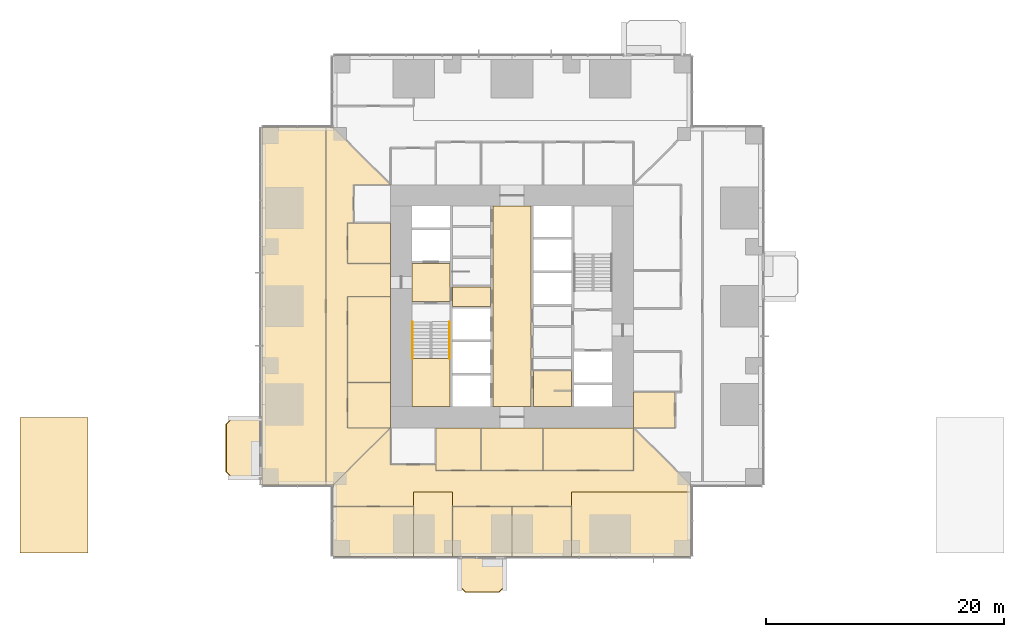
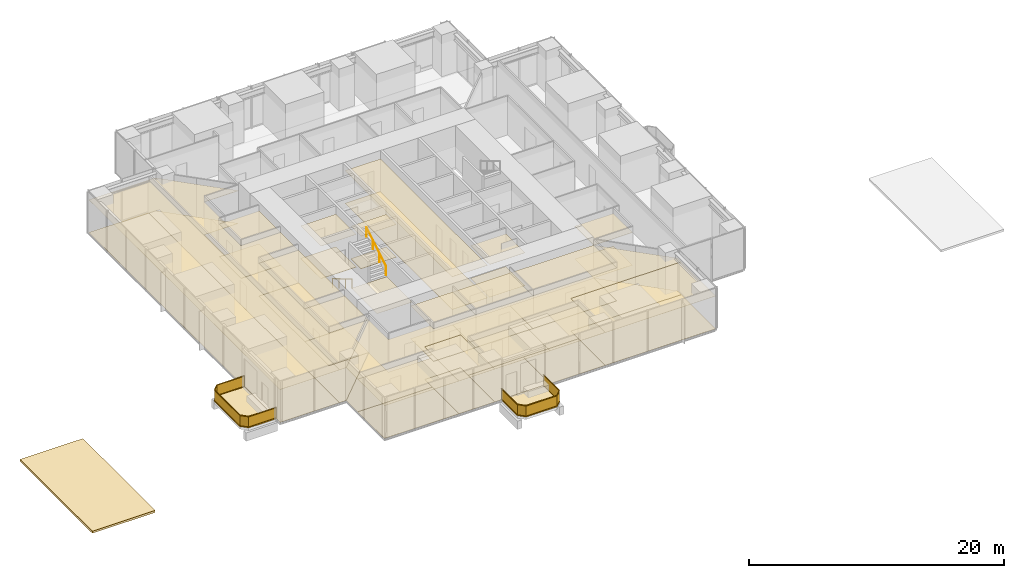
# One storey, part 14 of 16: 42 coverings, 4 railings.
"""IFC4 building model written with IfcOpenShell, lengths in metres."""

from ifc_helpers import new_model, si_unit, direction, frame, origin, origin_2d, place, context, subcontext, project, spatial, polyline, rectangle, circle, outline, extrude, material, layer, layer_set, type_object, element, save


model = new_model("IFC4")

# Units and contexts
model_context = context("Model", 3, precision=1e-05, world=origin(), true_north=direction((0.0, 1.0)))
body_context = subcontext(model_context, "Body", "Model", "MODEL_VIEW")
ifc_project = project(units=[si_unit("LENGTHUNIT", "METRE"), si_unit("AREAUNIT", "SQUARE_METRE"), si_unit("VOLUMEUNIT", "CUBIC_METRE"), si_unit("PLANEANGLEUNIT", "RADIAN"), si_unit("MASSUNIT", "GRAM", prefix="KILO")], contexts=[model_context])

# Site, building, storey
site_placement = place(None, origin())
site = spatial("IfcSite", under=ifc_project, at=site_placement, CompositionType="ELEMENT")
building_placement = place(site_placement, origin())
building = spatial("IfcBuilding", under=site, at=building_placement, Name="Svetlomir Tower", CompositionType="ELEMENT")
storey_placement = place(building_placement, frame((0.0, 0.0, 22.5)))
storey = spatial("IfcBuildingStorey", under=building, at=storey_placement, Name="L04", CompositionType="ELEMENT", Elevation=22.5)

# Railings
ifc_material_1 = material(Name="Bronze anodised aluminium and laminated glass", Category="aluminium")
railing_type_1 = type_object("IfcRailingType", Name="BALCONY GUARD GR1 1100", PredefinedType="GUARDRAIL", material=ifc_material_1)
railing_1_placement = place(storey_placement, frame((16.60009765625, 0.0, 0.0)))
element("IfcRailing", 1, at=railing_1_placement, inside=storey, type_object=railing_type_1, Name="Balcony guard S L04", PredefinedType="GUARDRAIL", context=body_context, shape_type="SweptSolid", body=[
    extrude(rectangle(XDim=0.06005859375, YDim=0.10009765625, at=origin_2d()), frame((0.0, 0.0, 0.050048828125), z_axis=(0.0, -1.0, 0.0), x_axis=(1.0, 0.0, 0.0)), (0.0, 0.0, 1.0), 2.5),
    extrude(rectangle(XDim=0.021484375, YDim=0.960205078125, at=origin_2d()), frame((0.0, 0.0, 0.580078125), z_axis=(0.0, -1.0, 0.0), x_axis=(1.0, 0.0, 0.0)), (0.0, 0.0, 1.0), 2.5),
    extrude(rectangle(XDim=0.06005859375, YDim=0.0400390625, at=origin_2d()), frame((0.0, 0.0, 1.080078125), z_axis=(0.0, -1.0, 0.0), x_axis=(1.0, 0.0, 0.0)), (0.0, 0.0, 1.0), 2.5),
    extrude(rectangle(XDim=0.06005859375, YDim=0.10009765625, at=origin_2d()), frame((0.0, -2.5, 0.050048828125), z_axis=(0.707106781187, -0.707106781187, 0.0), x_axis=(0.707106781187, 0.707106781187, 0.0)), (0.0, 0.0, 1.0), 0.70703125),
    extrude(rectangle(XDim=0.021484375, YDim=0.960205078125, at=origin_2d()), frame((0.0, -2.5, 0.580078125), z_axis=(0.707106781187, -0.707106781187, 0.0), x_axis=(0.707106781187, 0.707106781187, 0.0)), (0.0, 0.0, 1.0), 0.70703125),
    extrude(rectangle(XDim=0.06005859375, YDim=0.0400390625, at=origin_2d()), frame((0.0, -2.5, 1.080078125), z_axis=(0.707106781187, -0.707106781187, 0.0), x_axis=(0.707106781187, 0.707106781187, 0.0)), (0.0, 0.0, 1.0), 0.70703125),
    extrude(rectangle(XDim=0.06005859375, YDim=0.10009765625, at=origin_2d()), frame((0.5, -3.0, 0.050048828125), z_axis=(1.0, 0.0, 0.0), x_axis=(0.0, 1.0, 0.0)), (0.0, 0.0, 1.0), 2.7998046875),
    extrude(rectangle(XDim=0.021484375, YDim=0.960205078125, at=origin_2d()), frame((0.5, -3.0, 0.580078125), z_axis=(1.0, 0.0, 0.0), x_axis=(0.0, 1.0, 0.0)), (0.0, 0.0, 1.0), 2.7998046875),
    extrude(rectangle(XDim=0.06005859375, YDim=0.0400390625, at=origin_2d()), frame((0.5, -3.0, 1.080078125), z_axis=(1.0, 0.0, 0.0), x_axis=(0.0, 1.0, 0.0)), (0.0, 0.0, 1.0), 2.7998046875),
    extrude(rectangle(XDim=0.06005859375, YDim=0.10009765625, at=origin_2d()), frame((3.2998046875, -3.0, 0.050048828125), z_axis=(0.707106781187, 0.707106781187, 0.0), x_axis=(-0.707106781187, 0.707106781187, 0.0)), (0.0, 0.0, 1.0), 0.70703125),
    extrude(rectangle(XDim=0.021484375, YDim=0.960205078125, at=origin_2d()), frame((3.2998046875, -3.0, 0.580078125), z_axis=(0.707106781187, 0.707106781187, 0.0), x_axis=(-0.707106781187, 0.707106781187, 0.0)), (0.0, 0.0, 1.0), 0.70703125),
    extrude(rectangle(XDim=0.06005859375, YDim=0.0400390625, at=origin_2d()), frame((3.2998046875, -3.0, 1.080078125), z_axis=(0.707106781187, 0.707106781187, 0.0), x_axis=(-0.707106781187, 0.707106781187, 0.0)), (0.0, 0.0, 1.0), 0.70703125),
    extrude(rectangle(XDim=0.06005859375, YDim=0.10009765625, at=origin_2d()), frame((3.7998046875, -2.5, 0.050048828125), z_axis=(0.0, 1.0, 0.0), x_axis=(-1.0, 0.0, 0.0)), (0.0, 0.0, 1.0), 2.5),
    extrude(rectangle(XDim=0.021484375, YDim=0.960205078125, at=origin_2d()), frame((3.7998046875, -2.5, 0.580078125), z_axis=(0.0, 1.0, 0.0), x_axis=(-1.0, 0.0, 0.0)), (0.0, 0.0, 1.0), 2.5),
    extrude(rectangle(XDim=0.06005859375, YDim=0.0400390625, at=origin_2d()), frame((3.7998046875, -2.5, 1.080078125), z_axis=(0.0, 1.0, 0.0), x_axis=(-1.0, 0.0, 0.0)), (0.0, 0.0, 1.0), 2.5),
])
railing_2_placement = place(storey_placement, frame((0.0, 11.60009765625, 0.0)))
element("IfcRailing", 2, at=railing_2_placement, inside=storey, type_object=railing_type_1, Name="Balcony guard W L04", PredefinedType="GUARDRAIL", context=body_context, shape_type="SweptSolid", body=[
    extrude(rectangle(XDim=0.06005859375, YDim=0.10009765625, at=origin_2d()), frame((0.0, 0.0, 0.050048828125), z_axis=(-1.0, 0.0, 0.0), x_axis=(0.0, -1.0, 0.0)), (0.0, 0.0, 1.0), 2.5),
    extrude(rectangle(XDim=0.021484375, YDim=0.960205078125, at=origin_2d()), frame((0.0, 0.0, 0.580078125), z_axis=(-1.0, 0.0, 0.0), x_axis=(0.0, -1.0, 0.0)), (0.0, 0.0, 1.0), 2.5),
    extrude(rectangle(XDim=0.06005859375, YDim=0.0400390625, at=origin_2d()), frame((0.0, 0.0, 1.080078125), z_axis=(-1.0, 0.0, 0.0), x_axis=(0.0, -1.0, 0.0)), (0.0, 0.0, 1.0), 2.5),
    extrude(rectangle(XDim=0.06005859375, YDim=0.10009765625, at=origin_2d()), frame((-2.5, 0.0, 0.050048828125), z_axis=(-0.707106781187, -0.707106781187, 0.0), x_axis=(0.707106781187, -0.707106781187, 0.0)), (0.0, 0.0, 1.0), 0.70703125),
    extrude(rectangle(XDim=0.021484375, YDim=0.960205078125, at=origin_2d()), frame((-2.5, 0.0, 0.580078125), z_axis=(-0.707106781187, -0.707106781187, 0.0), x_axis=(0.707106781187, -0.707106781187, 0.0)), (0.0, 0.0, 1.0), 0.70703125),
    extrude(rectangle(XDim=0.06005859375, YDim=0.0400390625, at=origin_2d()), frame((-2.5, 0.0, 1.080078125), z_axis=(-0.707106781187, -0.707106781187, 0.0), x_axis=(0.707106781187, -0.707106781187, 0.0)), (0.0, 0.0, 1.0), 0.70703125),
    extrude(rectangle(XDim=0.06005859375, YDim=0.10009765625, at=origin_2d()), frame((-3.0, -0.5, 0.050048828125), z_axis=(0.0, -1.0, 0.0), x_axis=(1.0, 0.0, 0.0)), (0.0, 0.0, 1.0), 4.0),
    extrude(rectangle(XDim=0.021484375, YDim=0.960205078125, at=origin_2d()), frame((-3.0, -0.5, 0.580078125), z_axis=(0.0, -1.0, 0.0), x_axis=(1.0, 0.0, 0.0)), (0.0, 0.0, 1.0), 4.0),
    extrude(rectangle(XDim=0.06005859375, YDim=0.0400390625, at=origin_2d()), frame((-3.0, -0.5, 1.080078125), z_axis=(0.0, -1.0, 0.0), x_axis=(1.0, 0.0, 0.0)), (0.0, 0.0, 1.0), 4.0),
    extrude(rectangle(XDim=0.06005859375, YDim=0.10009765625, at=origin_2d()), frame((-3.0, -4.5, 0.050048828125), z_axis=(0.707106781187, -0.707106781187, 0.0), x_axis=(0.707106781187, 0.707106781187, 0.0)), (0.0, 0.0, 1.0), 0.70703125),
    extrude(rectangle(XDim=0.021484375, YDim=0.960205078125, at=origin_2d()), frame((-3.0, -4.5, 0.580078125), z_axis=(0.707106781187, -0.707106781187, 0.0), x_axis=(0.707106781187, 0.707106781187, 0.0)), (0.0, 0.0, 1.0), 0.70703125),
    extrude(rectangle(XDim=0.06005859375, YDim=0.0400390625, at=origin_2d()), frame((-3.0, -4.5, 1.080078125), z_axis=(0.707106781187, -0.707106781187, 0.0), x_axis=(0.707106781187, 0.707106781187, 0.0)), (0.0, 0.0, 1.0), 0.70703125),
    extrude(rectangle(XDim=0.06005859375, YDim=0.10009765625, at=origin_2d()), frame((-2.5, -5.0, 0.050048828125), z_axis=(1.0, 0.0, 0.0), x_axis=(0.0, 1.0, 0.0)), (0.0, 0.0, 1.0), 2.5),
    extrude(rectangle(XDim=0.021484375, YDim=0.960205078125, at=origin_2d()), frame((-2.5, -5.0, 0.580078125), z_axis=(1.0, 0.0, 0.0), x_axis=(0.0, 1.0, 0.0)), (0.0, 0.0, 1.0), 2.5),
    extrude(rectangle(XDim=0.06005859375, YDim=0.0400390625, at=origin_2d()), frame((-2.5, -5.0, 1.080078125), z_axis=(1.0, 0.0, 0.0), x_axis=(0.0, 1.0, 0.0)), (0.0, 0.0, 1.0), 2.5),
])

# Coverings
ifc_material_2 = material(Name="Granite paving slabs on pedestals", Category="masonry")
ifc_layer_1 = layer(ifc_material_2, 0.0400390625)
ifc_layer_set_1 = layer_set([ifc_layer_1], Name="Granite paving slabs on pedestals")
covering_type_1 = type_object("IfcCoveringType", Name="BALCONY PAVING 40", PredefinedType="USERDEFINED", material=ifc_layer_set_1)
covering_1_placement = place(storey_placement, origin())
element("IfcCovering", 3, at=covering_1_placement, inside=storey, type_object=covering_type_1, Name="Balcony paving S L04", ObjectType="BALCONY PAVING", PredefinedType="USERDEFINED", context=body_context, shape_type="SweptSolid", body=[
    extrude(outline(polyline([(16.60009765625, -2.5), (17.10009765625, -3.0), (19.89990234375, -3.0), (20.39990234375, -2.5), (20.39990234375, 0.0), (16.60009765625, 0.0), (16.60009765625, -2.5)])), origin(), (0.0, 0.0, 1.0), 0.0400390625),
])
covering_2_placement = place(storey_placement, origin())
element("IfcCovering", 4, at=covering_2_placement, inside=storey, type_object=covering_type_1, Name="Balcony paving W L04", ObjectType="BALCONY PAVING", PredefinedType="USERDEFINED", context=body_context, shape_type="SweptSolid", body=[
    extrude(outline(polyline([(-2.5, 6.60009765625), (0.0, 6.60009765625), (0.0, 11.60009765625), (-2.5, 11.60009765625), (-3.0, 11.10009765625), (-3.0, 7.10009765625), (-2.5, 6.60009765625)])), origin(), (0.0, 0.0, 1.0), 0.0400390625),
])
ifc_material_3 = material(Name="Carpet tile", Category="textile")
ifc_layer_2 = layer(ifc_material_3, 0.010009765625)
ifc_layer_set_2 = layer_set([ifc_layer_2], Name="Carpet tile")
covering_type_2 = type_object("IfcCoveringType", Name="CARPET TILE FLOOR 10", PredefinedType="FLOORING", material=ifc_layer_set_2)
covering_3_placement = place(storey_placement, origin())
element("IfcCovering", 5, at=covering_3_placement, inside=storey, type_object=covering_type_2, Name="Floor finish L04-15", PredefinedType="FLOORING", context=body_context, shape_type="SweptSolid", body=[
    extrude(outline(polyline([(14.60009765625, 7.199951171875), (18.39990234375, 7.199951171875), (18.39990234375, 10.800048828125), (14.60009765625, 10.800048828125), (14.60009765625, 7.199951171875)])), origin(), (0.0, 0.0, 1.0), 0.010009765625),
])
covering_4_placement = place(storey_placement, origin())
element("IfcCovering", 6, at=covering_4_placement, inside=storey, type_object=covering_type_2, Name="Floor finish L04-16", PredefinedType="FLOORING", context=body_context, shape_type="SweptSolid", body=[
    extrude(outline(polyline([(23.60009765625, 7.199951171875), (31.199951171875, 7.199951171875), (31.199951171875, 10.800048828125), (23.60009765625, 10.800048828125), (23.60009765625, 7.199951171875)])), origin(), (0.0, 0.0, 1.0), 0.010009765625),
])
covering_5_placement = place(storey_placement, origin())
element("IfcCovering", 7, at=covering_5_placement, inside=storey, type_object=covering_type_2, Name="Floor finish L04-17", PredefinedType="FLOORING", context=body_context, shape_type="SweptSolid", body=[
    extrude(outline(polyline([(6.0, 0.0), (12.75, 0.0), (12.75, 4.199951171875), (6.0, 4.199951171875), (6.0, 0.0)])), origin(), (0.0, 0.0, 1.0), 0.010009765625),
])
covering_6_placement = place(storey_placement, origin())
element("IfcCovering", 8, at=covering_6_placement, inside=storey, type_object=covering_type_2, Name="Floor finish L04-18", PredefinedType="FLOORING", context=body_context, shape_type="SweptSolid", body=[
    extrude(outline(polyline([(16.0, 0.0), (21.0, 0.0), (21.0, 4.199951171875), (16.0, 4.199951171875), (16.0, 0.0)])), origin(), (0.0, 0.0, 1.0), 0.010009765625),
])
covering_7_placement = place(storey_placement, origin())
element("IfcCovering", 9, at=covering_7_placement, inside=storey, type_object=covering_type_2, Name="Floor finish L04-19", PredefinedType="FLOORING", context=body_context, shape_type="SweptSolid", body=[
    extrude(outline(polyline([(21.0, 0.0), (26.0, 0.0), (26.0, 4.199951171875), (21.0, 4.199951171875), (21.0, 0.0)])), origin(), (0.0, 0.0, 1.0), 0.010009765625),
])
covering_8_placement = place(storey_placement, origin())
element("IfcCovering", 10, at=covering_8_placement, inside=storey, type_object=covering_type_2, Name="Floor finish L04-20", PredefinedType="FLOORING", context=body_context, shape_type="SweptSolid", body=[
    extrude(outline(polyline([(31.199951171875, 10.800048828125), (34.699951171875, 10.800048828125), (34.699951171875, 13.800048828125), (31.199951171875, 13.800048828125), (31.199951171875, 10.800048828125)])), origin(), (0.0, 0.0, 1.0), 0.010009765625),
])
covering_9_placement = place(storey_placement, origin())
element("IfcCovering", 11, at=covering_9_placement, inside=storey, type_object=covering_type_2, Name="Floor finish L04-29", PredefinedType="FLOORING", context=body_context, shape_type="SweptSolid", body=[
    extrude(outline(polyline([(7.199951171875, 10.800048828125), (10.800048828125, 10.800048828125), (10.800048828125, 14.60009765625), (7.199951171875, 14.60009765625), (7.199951171875, 10.800048828125)])), origin(), (0.0, 0.0, 1.0), 0.010009765625),
])
covering_10_placement = place(storey_placement, origin())
element("IfcCovering", 12, at=covering_10_placement, inside=storey, type_object=covering_type_2, Name="Floor finish L04-30", PredefinedType="FLOORING", context=body_context, shape_type="SweptSolid", body=[
    extrude(outline(polyline([(7.199951171875, 24.60009765625), (10.800048828125, 24.60009765625), (10.800048828125, 28.0), (7.199951171875, 28.0), (7.199951171875, 24.60009765625)])), origin(), (0.0, 0.0, 1.0), 0.010009765625),
])
covering_11_placement = place(storey_placement, origin())
element("IfcCovering", 13, at=covering_11_placement, inside=storey, type_object=covering_type_2, Name="Floor finish L04-32", PredefinedType="FLOORING", context=body_context, shape_type="SweptSolid", body=[
    extrude(outline(polyline([(6.0, 4.199951171875), (6.0, 6.0), (10.800048828125, 10.800048828125), (10.800048828125, 7.699951171875), (14.60009765625, 7.699951171875), (14.60009765625, 7.199951171875), (31.199951171875, 7.199951171875), (31.199951171875, 10.800048828125), (36.0, 6.0), (36.0, 5.39990234375), (26.0, 5.39990234375), (26.0, 4.199951171875), (16.0, 4.199951171875), (16.0, 5.39990234375), (12.75, 5.39990234375), (12.75, 4.199951171875), (6.0, 4.199951171875)])), origin(), (0.0, 0.0, 1.0), 0.010009765625),
])
covering_12_placement = place(storey_placement, origin())
element("IfcCovering", 14, at=covering_12_placement, inside=storey, type_object=covering_type_2, Name="Floor finish L04-35", PredefinedType="FLOORING", context=body_context, shape_type="SweptSolid", body=[
    extrude(outline(polyline([(5.39990234375, 6.0), (5.39990234375, 36.0), (6.0, 36.0), (10.800048828125, 31.199951171875), (7.699951171875, 31.199951171875), (7.699951171875, 28.0), (7.199951171875, 28.0), (7.199951171875, 24.60009765625), (10.800048828125, 24.60009765625), (10.800048828125, 21.800048828125), (7.199951171875, 21.800048828125), (7.199951171875, 10.800048828125), (10.800048828125, 10.800048828125), (6.0, 6.0), (5.39990234375, 6.0)])), origin(), (0.0, 0.0, 1.0), 0.010009765625),
])
covering_13_placement = place(storey_placement, origin())
element("IfcCovering", 15, at=covering_13_placement, inside=storey, type_object=covering_type_2, Name="Floor finish L04-36", PredefinedType="FLOORING", context=body_context, shape_type="SweptSolid", body=[
    extrude(outline(polyline([(12.75, 5.39990234375), (16.0, 5.39990234375), (16.0, 0.0), (12.75, 0.0), (12.75, 5.39990234375)])), origin(), (0.0, 0.0, 1.0), 0.010009765625),
])
covering_14_placement = place(storey_placement, origin())
element("IfcCovering", 16, at=covering_14_placement, inside=storey, type_object=covering_type_2, Name="Floor finish L04-37", PredefinedType="FLOORING", context=body_context, shape_type="SweptSolid", body=[
    extrude(outline(polyline([(26.0, 0.0), (26.0, 5.39990234375), (36.0, 5.39990234375), (36.0, 0.0), (26.0, 0.0)])), origin(), (0.0, 0.0, 1.0), 0.010009765625),
])
covering_15_placement = place(storey_placement, origin())
element("IfcCovering", 17, at=covering_15_placement, inside=storey, type_object=covering_type_2, Name="Floor finish L04-38", PredefinedType="FLOORING", context=body_context, shape_type="SweptSolid", body=[
    extrude(outline(polyline([(23.60009765625, 10.800048828125), (23.60009765625, 7.199951171875), (18.39990234375, 7.199951171875), (18.39990234375, 10.800048828125), (23.60009765625, 10.800048828125)])), origin(), (0.0, 0.0, 1.0), 0.010009765625),
])
covering_16_placement = place(storey_placement, origin())
element("IfcCovering", 18, at=covering_16_placement, inside=storey, type_object=covering_type_2, Name="Floor finish L04-42", PredefinedType="FLOORING", context=body_context, shape_type="SweptSolid", body=[
    extrude(outline(polyline([(0.0, 36.0), (5.39990234375, 36.0), (5.39990234375, 6.0), (0.0, 6.0), (0.0, 36.0)])), origin(), (0.0, 0.0, 1.0), 0.010009765625),
])
covering_17_placement = place(storey_placement, origin())
element("IfcCovering", 19, at=covering_17_placement, inside=storey, type_object=covering_type_2, Name="Floor finish L04-43", PredefinedType="FLOORING", context=body_context, shape_type="SweptSolid", body=[
    extrude(outline(polyline([(7.199951171875, 14.60009765625), (7.199951171875, 21.800048828125), (10.800048828125, 21.800048828125), (10.800048828125, 14.60009765625), (7.199951171875, 14.60009765625)])), origin(), (0.0, 0.0, 1.0), 0.010009765625),
])
ifc_material_4 = material(Name="Ceramic floor tile", Category="ceramic")
ifc_layer_3 = layer(ifc_material_4, 0.014892578125)
ifc_layer_set_3 = layer_set([ifc_layer_3], Name="Ceramic floor tile")
covering_type_3 = type_object("IfcCoveringType", Name="CERAMIC TILE FLOOR 15", PredefinedType="FLOORING", material=ifc_layer_set_3)
covering_18_placement = place(storey_placement, origin())
element("IfcCovering", 20, at=covering_18_placement, inside=storey, type_object=covering_type_3, Name="Floor finish L04-09", PredefinedType="FLOORING", context=body_context, shape_type="SweptSolid", body=[
    extrude(outline(polyline([(22.800048828125, 12.60009765625), (26.0, 12.60009765625), (26.0, 15.60009765625), (22.800048828125, 15.60009765625), (22.800048828125, 12.60009765625)])), origin(), (0.0, 0.0, 1.0), 0.014892578125),
])

# Railings
ifc_material_5 = material(Name="Stainless steel", Category="steel")
railing_type_2 = type_object("IfcRailingType", Name="HANDRAIL HR1 900", PredefinedType="HANDRAIL", material=ifc_material_5)
railing_3_placement = place(storey_placement, frame((12.64990234375, 19.699951171875, 0.166748046875)))
element("IfcRailing", 21, at=railing_3_placement, inside=storey, type_object=railing_type_2, Name="Handrail S1 flight 1 L04", PredefinedType="HANDRAIL", context=body_context, shape_type="SweptSolid", body=[
    extrude(circle(Radius=0.02392578125, at=origin_2d()), frame((0.0, 0.0, 0.8759765625), z_axis=(0.0, -0.859290745958, 0.51148745235), x_axis=(1.0, 0.0, 0.0)), (0.0, 0.0, 1.0), 3.584228515625),
    extrude(circle(Radius=0.02099609375, at=origin_2d()), origin(), (0.0, 0.0, 1.0), 0.851806640625),
    extrude(circle(Radius=0.02099609375, at=origin_2d()), frame((0.0, -1.026611328125, 0.611083984375)), (0.0, 0.0, 1.0), 0.851806640625),
    extrude(circle(Radius=0.02099609375, at=origin_2d()), frame((0.0, -2.05322265625, 1.22216796875)), (0.0, 0.0, 1.0), 0.851806640625),
    extrude(circle(Radius=0.02099609375, at=origin_2d()), frame((0.0, -3.079833984375, 1.833251953125)), (0.0, 0.0, 1.0), 0.851806640625),
])
railing_4_placement = place(storey_placement, frame((15.75, 16.6201171875, 2.166748046875)))
element("IfcRailing", 22, at=railing_4_placement, inside=storey, type_object=railing_type_2, Name="Handrail S1 flight 2 L04", PredefinedType="HANDRAIL", context=body_context, shape_type="SweptSolid", body=[
    extrude(circle(Radius=0.02392578125, at=origin_2d()), frame((0.0, 0.0, 0.8759765625), z_axis=(0.0, 0.859290745958, 0.51148745235), x_axis=(-1.0, 0.0, 0.0)), (0.0, 0.0, 1.0), 3.584228515625),
    extrude(circle(Radius=0.02099609375, at=origin_2d()), origin(), (0.0, 0.0, 1.0), 0.851806640625),
    extrude(circle(Radius=0.02099609375, at=origin_2d()), frame((0.0, 1.026611328125, 0.611083984375)), (0.0, 0.0, 1.0), 0.851806640625),
    extrude(circle(Radius=0.02099609375, at=origin_2d()), frame((0.0, 2.05322265625, 1.22216796875)), (0.0, 0.0, 1.0), 0.851806640625),
    extrude(circle(Radius=0.02099609375, at=origin_2d()), frame((0.0, 3.079833984375, 1.833251953125)), (0.0, 0.0, 1.0), 0.851806640625),
])

# Coverings
ifc_material_6 = material(Name="Insulated steel roof deck with membrane", Category="steel")
ifc_layer_4 = layer(ifc_material_6, 0.199951171875)
ifc_layer_set_4 = layer_set([ifc_layer_4], Name="Insulated steel roof deck with membrane")
covering_type_4 = type_object("IfcCoveringType", Name="HEAD-HOUSE ROOF DECK 200", PredefinedType="ROOFING", material=ifc_layer_set_4)
covering_19_placement = place(storey_placement, frame((0.0, 0.0, -0.050048828125)))
element("IfcCovering", 23, at=covering_19_placement, inside=storey, type_object=covering_type_4, Name="Stair P3 head-house roof", PredefinedType="ROOFING", context=body_context, shape_type="SweptSolid", body=[
    extrude(outline(polyline([(-20.300048828125, 0.300048828125), (-14.60009765625, 0.300048828125), (-14.60009765625, 11.64990234375), (-20.300048828125, 11.64990234375), (-20.300048828125, 0.300048828125)])), origin(), (0.0, 0.0, 1.0), 0.199951171875),
])
ifc_material_7 = material(Name="Moisture resistant plasterboard ceiling", Category="gypsum")
ifc_layer_5 = layer(ifc_material_7, 0.012451171875)
ifc_layer_set_5 = layer_set([ifc_layer_5], Name="Moisture resistant plasterboard ceiling")
covering_type_5 = type_object("IfcCoveringType", Name="MOISTURE RESISTANT CEILING 12.5", PredefinedType="CEILING", material=ifc_layer_set_5)
covering_20_placement = place(storey_placement, frame((0.0, 0.0, 3.137451171875)))
element("IfcCovering", 24, at=covering_20_placement, inside=storey, type_object=covering_type_5, Name="Ceiling L04-09", PredefinedType="CEILING", context=body_context, shape_type="SweptSolid", body=[
    extrude(outline(polyline([(22.800048828125, 12.60009765625), (26.0, 12.60009765625), (26.0, 15.60009765625), (22.800048828125, 15.60009765625), (22.800048828125, 12.60009765625)])), origin(), (0.0, 0.0, 1.0), 0.012451171875),
])
ifc_material_8 = material(Name="Gypsum plasterboard ceiling", Category="gypsum")
ifc_layer_6 = layer(ifc_material_8, 0.014892578125)
ifc_layer_set_6 = layer_set([ifc_layer_6], Name="Gypsum plasterboard ceiling")
covering_type_6 = type_object("IfcCoveringType", Name="PLASTERBOARD CEILING 15", PredefinedType="CEILING", material=ifc_layer_set_6)
covering_21_placement = place(storey_placement, frame((0.0, 0.0, 3.135009765625)))
element("IfcCovering", 25, at=covering_21_placement, inside=storey, type_object=covering_type_6, Name="Ceiling L04-02", PredefinedType="CEILING", context=body_context, shape_type="SweptSolid", body=[
    extrude(outline(polyline([(12.60009765625, 21.39990234375), (15.800048828125, 21.39990234375), (15.800048828125, 24.60009765625), (12.60009765625, 24.60009765625), (12.60009765625, 21.39990234375)])), origin(), (0.0, 0.0, 1.0), 0.014892578125),
])
covering_22_placement = place(storey_placement, frame((0.0, 0.0, 3.135009765625)))
element("IfcCovering", 26, at=covering_22_placement, inside=storey, type_object=covering_type_6, Name="Ceiling L04-03", PredefinedType="CEILING", context=body_context, shape_type="SweptSolid", body=[
    extrude(outline(polyline([(16.0, 21.0), (19.199951171875, 21.0), (19.199951171875, 22.60009765625), (16.0, 22.60009765625), (16.0, 21.0)])), origin(), (0.0, 0.0, 1.0), 0.014892578125),
])
covering_23_placement = place(storey_placement, frame((0.0, 0.0, 3.135009765625)))
element("IfcCovering", 27, at=covering_23_placement, inside=storey, type_object=covering_type_6, Name="Ceiling L04-07", PredefinedType="CEILING", context=body_context, shape_type="SweptSolid", body=[
    extrude(outline(polyline([(19.39990234375, 12.60009765625), (22.60009765625, 12.60009765625), (22.60009765625, 29.39990234375), (19.39990234375, 29.39990234375), (19.39990234375, 12.60009765625)])), origin(), (0.0, 0.0, 1.0), 0.014892578125),
])
ifc_material_9 = material(Name="Studded rubber floor finish", Category="rubber")
ifc_layer_7 = layer(ifc_material_9, 0.006103515625)
ifc_layer_set_7 = layer_set([ifc_layer_7], Name="Studded rubber floor finish")
covering_type_7 = type_object("IfcCoveringType", Name="RUBBER LANDING FINISH 6", PredefinedType="FLOORING", material=ifc_layer_set_7)
covering_24_placement = place(storey_placement, frame((0.0, 0.0, 2.0)))
element("IfcCovering", 28, at=covering_24_placement, inside=storey, type_object=covering_type_7, Name="Stair S1 landing finish L04", PredefinedType="FLOORING", context=body_context, shape_type="SweptSolid", body=[
    extrude(outline(polyline([(12.60009765625, 12.60009765625), (15.800048828125, 12.60009765625), (15.800048828125, 16.6201171875), (12.60009765625, 16.6201171875), (12.60009765625, 12.60009765625)])), origin(), (0.0, 0.0, 1.0), 0.006103515625),
])
ifc_material_10 = material(Name="Mineral fibre ceiling tile", Category="mineral")
ifc_layer_8 = layer(ifc_material_10, 0.02001953125)
ifc_layer_set_8 = layer_set([ifc_layer_8], Name="Mineral fibre ceiling tile")
covering_type_8 = type_object("IfcCoveringType", Name="SUSPENDED CEILING 20", PredefinedType="CEILING", material=ifc_layer_set_8)
covering_25_placement = place(storey_placement, frame((0.0, 0.0, 3.1298828125)))
element("IfcCovering", 29, at=covering_25_placement, inside=storey, type_object=covering_type_8, Name="Ceiling L04-15", PredefinedType="CEILING", context=body_context, shape_type="SweptSolid", body=[
    extrude(outline(polyline([(14.60009765625, 7.199951171875), (18.39990234375, 7.199951171875), (18.39990234375, 10.800048828125), (14.60009765625, 10.800048828125), (14.60009765625, 7.199951171875)])), origin(), (0.0, 0.0, 1.0), 0.02001953125),
])
covering_26_placement = place(storey_placement, frame((0.0, 0.0, 3.1298828125)))
element("IfcCovering", 30, at=covering_26_placement, inside=storey, type_object=covering_type_8, Name="Ceiling L04-16", PredefinedType="CEILING", context=body_context, shape_type="SweptSolid", body=[
    extrude(outline(polyline([(23.60009765625, 7.199951171875), (31.199951171875, 7.199951171875), (31.199951171875, 10.800048828125), (23.60009765625, 10.800048828125), (23.60009765625, 7.199951171875)])), origin(), (0.0, 0.0, 1.0), 0.02001953125),
])
covering_27_placement = place(storey_placement, frame((0.0, 0.0, 3.1298828125)))
element("IfcCovering", 31, at=covering_27_placement, inside=storey, type_object=covering_type_8, Name="Ceiling L04-17", PredefinedType="CEILING", context=body_context, shape_type="SweptSolid", body=[
    extrude(outline(polyline([(6.0, 0.0), (12.75, 0.0), (12.75, 4.199951171875), (6.0, 4.199951171875), (6.0, 0.0)])), origin(), (0.0, 0.0, 1.0), 0.02001953125),
])
covering_28_placement = place(storey_placement, frame((0.0, 0.0, 3.1298828125)))
element("IfcCovering", 32, at=covering_28_placement, inside=storey, type_object=covering_type_8, Name="Ceiling L04-18", PredefinedType="CEILING", context=body_context, shape_type="SweptSolid", body=[
    extrude(outline(polyline([(16.0, 0.0), (21.0, 0.0), (21.0, 4.199951171875), (16.0, 4.199951171875), (16.0, 0.0)])), origin(), (0.0, 0.0, 1.0), 0.02001953125),
])
covering_29_placement = place(storey_placement, frame((0.0, 0.0, 3.1298828125)))
element("IfcCovering", 33, at=covering_29_placement, inside=storey, type_object=covering_type_8, Name="Ceiling L04-19", PredefinedType="CEILING", context=body_context, shape_type="SweptSolid", body=[
    extrude(outline(polyline([(21.0, 0.0), (26.0, 0.0), (26.0, 4.199951171875), (21.0, 4.199951171875), (21.0, 0.0)])), origin(), (0.0, 0.0, 1.0), 0.02001953125),
])
covering_30_placement = place(storey_placement, frame((0.0, 0.0, 3.1298828125)))
element("IfcCovering", 34, at=covering_30_placement, inside=storey, type_object=covering_type_8, Name="Ceiling L04-20", PredefinedType="CEILING", context=body_context, shape_type="SweptSolid", body=[
    extrude(outline(polyline([(31.199951171875, 10.800048828125), (34.699951171875, 10.800048828125), (34.699951171875, 13.800048828125), (31.199951171875, 13.800048828125), (31.199951171875, 10.800048828125)])), origin(), (0.0, 0.0, 1.0), 0.02001953125),
])
covering_31_placement = place(storey_placement, frame((0.0, 0.0, 3.1298828125)))
element("IfcCovering", 35, at=covering_31_placement, inside=storey, type_object=covering_type_8, Name="Ceiling L04-29", PredefinedType="CEILING", context=body_context, shape_type="SweptSolid", body=[
    extrude(outline(polyline([(7.199951171875, 10.800048828125), (10.800048828125, 10.800048828125), (10.800048828125, 14.60009765625), (7.199951171875, 14.60009765625), (7.199951171875, 10.800048828125)])), origin(), (0.0, 0.0, 1.0), 0.02001953125),
])
covering_32_placement = place(storey_placement, frame((0.0, 0.0, 3.1298828125)))
element("IfcCovering", 36, at=covering_32_placement, inside=storey, type_object=covering_type_8, Name="Ceiling L04-30", PredefinedType="CEILING", context=body_context, shape_type="SweptSolid", body=[
    extrude(outline(polyline([(7.199951171875, 24.60009765625), (10.800048828125, 24.60009765625), (10.800048828125, 28.0), (7.199951171875, 28.0), (7.199951171875, 24.60009765625)])), origin(), (0.0, 0.0, 1.0), 0.02001953125),
])
covering_33_placement = place(storey_placement, frame((0.0, 0.0, 3.1298828125)))
element("IfcCovering", 37, at=covering_33_placement, inside=storey, type_object=covering_type_8, Name="Ceiling L04-32", PredefinedType="CEILING", context=body_context, shape_type="SweptSolid", body=[
    extrude(outline(polyline([(6.0, 4.199951171875), (6.0, 6.0), (10.800048828125, 10.800048828125), (10.800048828125, 7.699951171875), (14.60009765625, 7.699951171875), (14.60009765625, 7.199951171875), (31.199951171875, 7.199951171875), (31.199951171875, 10.800048828125), (36.0, 6.0), (36.0, 5.39990234375), (26.0, 5.39990234375), (26.0, 4.199951171875), (16.0, 4.199951171875), (16.0, 5.39990234375), (12.75, 5.39990234375), (12.75, 4.199951171875), (6.0, 4.199951171875)])), origin(), (0.0, 0.0, 1.0), 0.02001953125),
])
covering_34_placement = place(storey_placement, frame((0.0, 0.0, 3.1298828125)))
element("IfcCovering", 38, at=covering_34_placement, inside=storey, type_object=covering_type_8, Name="Ceiling L04-35", PredefinedType="CEILING", context=body_context, shape_type="SweptSolid", body=[
    extrude(outline(polyline([(5.39990234375, 6.0), (5.39990234375, 36.0), (6.0, 36.0), (10.800048828125, 31.199951171875), (7.699951171875, 31.199951171875), (7.699951171875, 28.0), (7.199951171875, 28.0), (7.199951171875, 24.60009765625), (10.800048828125, 24.60009765625), (10.800048828125, 21.800048828125), (7.199951171875, 21.800048828125), (7.199951171875, 10.800048828125), (10.800048828125, 10.800048828125), (6.0, 6.0), (5.39990234375, 6.0)])), origin(), (0.0, 0.0, 1.0), 0.02001953125),
])
covering_35_placement = place(storey_placement, frame((0.0, 0.0, 3.1298828125)))
element("IfcCovering", 39, at=covering_35_placement, inside=storey, type_object=covering_type_8, Name="Ceiling L04-36", PredefinedType="CEILING", context=body_context, shape_type="SweptSolid", body=[
    extrude(outline(polyline([(12.75, 5.39990234375), (16.0, 5.39990234375), (16.0, 0.0), (12.75, 0.0), (12.75, 5.39990234375)])), origin(), (0.0, 0.0, 1.0), 0.02001953125),
])
covering_36_placement = place(storey_placement, frame((0.0, 0.0, 3.1298828125)))
element("IfcCovering", 40, at=covering_36_placement, inside=storey, type_object=covering_type_8, Name="Ceiling L04-37", PredefinedType="CEILING", context=body_context, shape_type="SweptSolid", body=[
    extrude(outline(polyline([(26.0, 0.0), (26.0, 5.39990234375), (36.0, 5.39990234375), (36.0, 0.0), (26.0, 0.0)])), origin(), (0.0, 0.0, 1.0), 0.02001953125),
])
covering_37_placement = place(storey_placement, frame((0.0, 0.0, 3.1298828125)))
element("IfcCovering", 41, at=covering_37_placement, inside=storey, type_object=covering_type_8, Name="Ceiling L04-38", PredefinedType="CEILING", context=body_context, shape_type="SweptSolid", body=[
    extrude(outline(polyline([(23.60009765625, 10.800048828125), (23.60009765625, 7.199951171875), (18.39990234375, 7.199951171875), (18.39990234375, 10.800048828125), (23.60009765625, 10.800048828125)])), origin(), (0.0, 0.0, 1.0), 0.02001953125),
])
covering_38_placement = place(storey_placement, frame((0.0, 0.0, 3.1298828125)))
element("IfcCovering", 42, at=covering_38_placement, inside=storey, type_object=covering_type_8, Name="Ceiling L04-42", PredefinedType="CEILING", context=body_context, shape_type="SweptSolid", body=[
    extrude(outline(polyline([(0.0, 36.0), (5.39990234375, 36.0), (5.39990234375, 6.0), (0.0, 6.0), (0.0, 36.0)])), origin(), (0.0, 0.0, 1.0), 0.02001953125),
])
covering_39_placement = place(storey_placement, frame((0.0, 0.0, 3.1298828125)))
element("IfcCovering", 43, at=covering_39_placement, inside=storey, type_object=covering_type_8, Name="Ceiling L04-43", PredefinedType="CEILING", context=body_context, shape_type="SweptSolid", body=[
    extrude(outline(polyline([(7.199951171875, 14.60009765625), (7.199951171875, 21.800048828125), (10.800048828125, 21.800048828125), (10.800048828125, 14.60009765625), (7.199951171875, 14.60009765625)])), origin(), (0.0, 0.0, 1.0), 0.02001953125),
])
ifc_material_11 = material(Name="Bronze-aggregate terrazzo", Category="stone")
ifc_layer_9 = layer(ifc_material_11, 0.030029296875)
ifc_layer_set_9 = layer_set([ifc_layer_9], Name="Bronze-aggregate terrazzo")
covering_type_9 = type_object("IfcCoveringType", Name="TERRAZZO FLOOR 30", PredefinedType="FLOORING", material=ifc_layer_set_9)
covering_40_placement = place(storey_placement, origin())
element("IfcCovering", 44, at=covering_40_placement, inside=storey, type_object=covering_type_9, Name="Floor finish L04-02", PredefinedType="FLOORING", context=body_context, shape_type="SweptSolid", body=[
    extrude(outline(polyline([(12.60009765625, 21.39990234375), (15.800048828125, 21.39990234375), (15.800048828125, 24.60009765625), (12.60009765625, 24.60009765625), (12.60009765625, 21.39990234375)])), origin(), (0.0, 0.0, 1.0), 0.030029296875),
])
covering_41_placement = place(storey_placement, origin())
element("IfcCovering", 45, at=covering_41_placement, inside=storey, type_object=covering_type_9, Name="Floor finish L04-03", PredefinedType="FLOORING", context=body_context, shape_type="SweptSolid", body=[
    extrude(outline(polyline([(16.0, 21.0), (19.199951171875, 21.0), (19.199951171875, 22.60009765625), (16.0, 22.60009765625), (16.0, 21.0)])), origin(), (0.0, 0.0, 1.0), 0.030029296875),
])
covering_42_placement = place(storey_placement, origin())
element("IfcCovering", 46, at=covering_42_placement, inside=storey, type_object=covering_type_9, Name="Floor finish L04-07", PredefinedType="FLOORING", context=body_context, shape_type="SweptSolid", body=[
    extrude(outline(polyline([(19.39990234375, 12.60009765625), (22.60009765625, 12.60009765625), (22.60009765625, 29.39990234375), (19.39990234375, 29.39990234375), (19.39990234375, 12.60009765625)])), origin(), (0.0, 0.0, 1.0), 0.030029296875),
])

save(model, "model.ifc")
